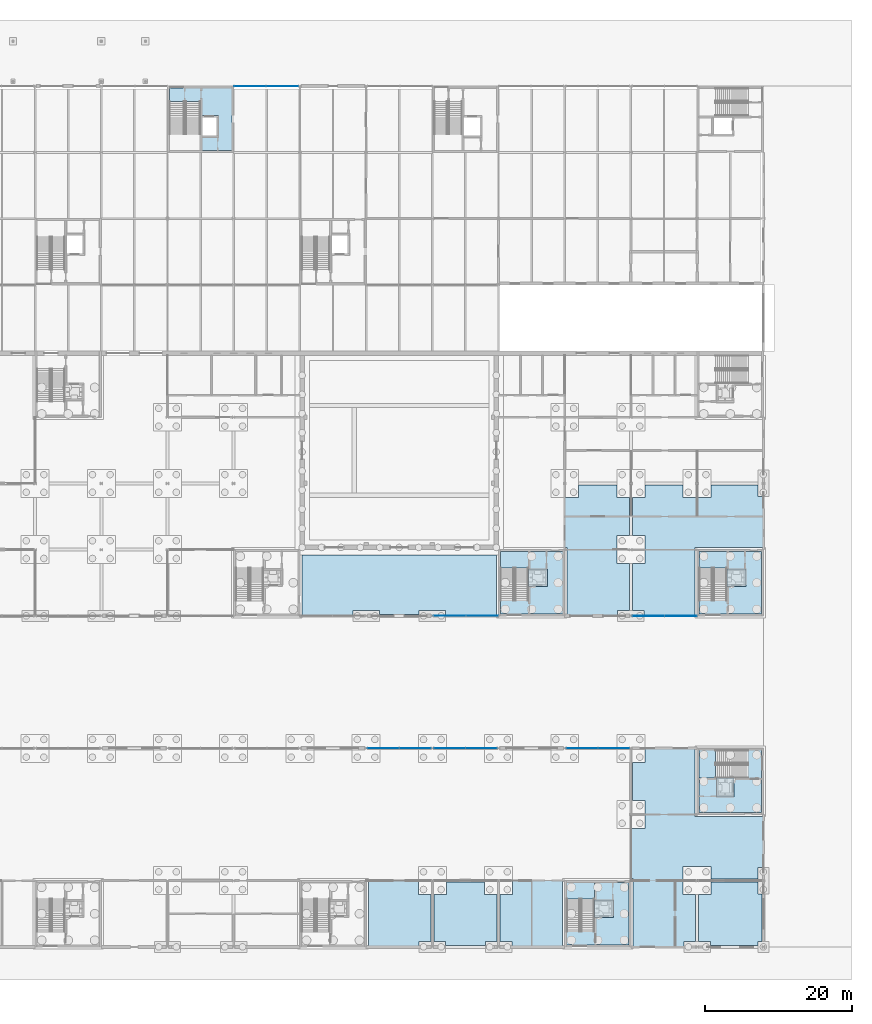
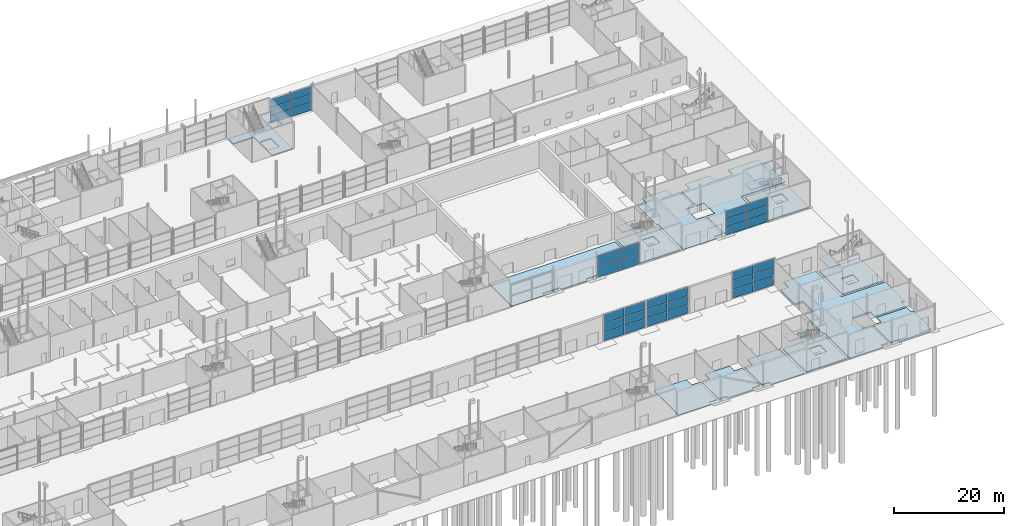
# One storey, part 58 of 97: 34 plates, 21 slabs, 10 elements without a shape of their own.
"""IFC4 building model written with IfcOpenShell, lengths in metres."""

from ifc_helpers import new_model, si_unit, direction, frame, origin, origin_2d, place, context, subcontext, project, spatial, polyline, rectangle, outline, extrude, material, layer, layer_set, type_object, element, aggregate, save


model = new_model("IFC4")

# Units and contexts
model_context = context("Model", 3, precision=1e-05, world=origin(), true_north=direction((0.0, 1.0)))
body_context = subcontext(model_context, "Body", "Model", "MODEL_VIEW")
ifc_project = project(units=[si_unit("LENGTHUNIT", "METRE"), si_unit("AREAUNIT", "SQUARE_METRE"), si_unit("VOLUMEUNIT", "CUBIC_METRE"), si_unit("PLANEANGLEUNIT", "RADIAN"), si_unit("MASSUNIT", "GRAM", prefix="KILO")], contexts=[model_context])

# Site, building, storey
site_placement = place(None, origin())
site = spatial("IfcSite", under=ifc_project, at=site_placement, CompositionType="ELEMENT")
building_placement = place(site_placement, origin())
building = spatial("IfcBuilding", under=site, at=building_placement, Name="Corbel Yard City Hall", CompositionType="ELEMENT")
storey_placement = place(building_placement, origin())
storey = spatial("IfcBuildingStorey", under=building, at=storey_placement, Name="L00", CompositionType="ELEMENT", Elevation=0.0)

# Slabs
ifc_material_1 = material(Name="Concrete N40 (40 MPa)", Category="concrete")
ifc_layer_1 = layer(ifc_material_1, 0.25)
ifc_layer_set_1 = layer_set([ifc_layer_1], Name="Concrete N40 (40 MPa)")
slab_type_1 = type_object("IfcSlabType", Name="CF1", PredefinedType="FLOOR", material=ifc_layer_set_1)
slab_1_placement = place(storey_placement, frame((0.0, 0.0, -0.25)))
element("IfcSlab", 1, at=slab_1_placement, inside=storey, type_object=slab_type_1, Name="Core floor slab", PredefinedType="FLOOR", context=body_context, shape_type="SweptSolid", body=[
    extrude(outline(polyline([(153.25, 0.25), (161.75, 0.25), (161.75, 8.75), (153.25, 8.75), (153.25, 0.25)]), holes=[polyline([(159.64990234375, 6.39990234375), (157.300048828125, 6.39990234375), (157.300048828125, 4.0), (159.64990234375, 4.0), (159.64990234375, 6.39990234375)])]), origin(), (0.0, 0.0, 1.0), 0.25),
])
slab_2_placement = place(storey_placement, frame((0.0, 0.0, -0.25)))
element("IfcSlab", 2, at=slab_2_placement, inside=storey, type_object=slab_type_1, Name="Core floor slab", PredefinedType="FLOOR", context=body_context, shape_type="SweptSolid", body=[
    extrude(outline(polyline([(171.25, 18.25), (179.75, 18.25), (179.75, 26.75), (171.25, 26.75), (171.25, 18.25)]), holes=[polyline([(176.0, 22.699951171875), (173.60009765625, 22.699951171875), (173.60009765625, 20.35009765625), (176.0, 20.35009765625), (176.0, 22.699951171875)])]), origin(), (0.0, 0.0, 1.0), 0.25),
])
slab_3_placement = place(storey_placement, frame((0.0, 0.0, -0.25)))
element("IfcSlab", 3, at=slab_3_placement, inside=storey, type_object=slab_type_1, Name="Core floor slab", PredefinedType="FLOOR", context=body_context, shape_type="SweptSolid", body=[
    extrude(outline(polyline([(144.25, 45.25), (152.75, 45.25), (152.75, 53.75), (144.25, 53.75), (144.25, 45.25)]), holes=[polyline([(150.64990234375, 51.39990234375), (148.300048828125, 51.39990234375), (148.300048828125, 49.0), (150.64990234375, 49.0), (150.64990234375, 51.39990234375)])]), origin(), (0.0, 0.0, 1.0), 0.25),
])
slab_4_placement = place(storey_placement, frame((0.0, 0.0, -0.25)))
element("IfcSlab", 4, at=slab_4_placement, inside=storey, type_object=slab_type_1, Name="Core floor slab", PredefinedType="FLOOR", context=body_context, shape_type="SweptSolid", body=[
    extrude(outline(polyline([(171.25, 45.25), (179.75, 45.25), (179.75, 53.75), (171.25, 53.75), (171.25, 45.25)]), holes=[polyline([(177.64990234375, 51.39990234375), (175.300048828125, 51.39990234375), (175.300048828125, 49.0), (177.64990234375, 49.0), (177.64990234375, 51.39990234375)])]), origin(), (0.0, 0.0, 1.0), 0.25),
])
slab_5_placement = place(storey_placement, frame((0.0, 0.0, -0.25)))
element("IfcSlab", 5, at=slab_5_placement, inside=storey, type_object=slab_type_1, Name="Core floor slab", PredefinedType="FLOOR", context=body_context, shape_type="SweptSolid", body=[
    extrude(outline(polyline([(99.25, 116.75), (99.25, 114.948974609375), (103.449951171875, 114.948974609375), (103.449951171875, 108.25), (107.75, 108.25), (107.75, 116.75), (99.25, 116.75)]), holes=[polyline([(105.949951171875, 110.0), (105.949951171875, 113.0), (103.699951171875, 113.0), (103.699951171875, 110.0), (105.949951171875, 110.0)])]), origin(), (0.0, 0.0, 1.0), 0.25),
])
ifc_layer_2 = layer(ifc_material_1, 0.300048828125)
ifc_layer_set_2 = layer_set([ifc_layer_2], Name="Concrete N40 (40 MPa)")
slab_type_2 = type_object("IfcSlabType", Name="CF2", PredefinedType="BASESLAB", material=ifc_layer_set_2)
slab_6_placement = place(storey_placement, frame((0.0, 0.0, -1.699951171875)))
element("IfcSlab", 6, at=slab_6_placement, inside=storey, type_object=slab_type_2, Name="Lift LP5 pit slab", PredefinedType="BASESLAB", context=body_context, shape_type="SweptSolid", body=[
    extrude(outline(polyline([(157.050048828125, 4.0), (159.64990234375, 4.0), (159.64990234375, 6.39990234375), (157.050048828125, 6.39990234375), (157.050048828125, 4.0)])), origin(), (0.0, 0.0, 1.0), 0.300048828125),
])
slab_7_placement = place(storey_placement, frame((0.0, 0.0, -1.699951171875)))
element("IfcSlab", 7, at=slab_7_placement, inside=storey, type_object=slab_type_2, Name="Lift LP7 pit slab", PredefinedType="BASESLAB", context=body_context, shape_type="SweptSolid", body=[
    extrude(outline(polyline([(173.60009765625, 20.35009765625), (176.0, 20.35009765625), (176.0, 22.949951171875), (173.60009765625, 22.949951171875), (173.60009765625, 20.35009765625)])), origin(), (0.0, 0.0, 1.0), 0.300048828125),
])
slab_8_placement = place(storey_placement, frame((0.0, 0.0, -1.699951171875)))
element("IfcSlab", 8, at=slab_8_placement, inside=storey, type_object=slab_type_2, Name="Lift LP11 pit slab", PredefinedType="BASESLAB", context=body_context, shape_type="SweptSolid", body=[
    extrude(outline(polyline([(148.050048828125, 49.0), (150.64990234375, 49.0), (150.64990234375, 51.39990234375), (148.050048828125, 51.39990234375), (148.050048828125, 49.0)])), origin(), (0.0, 0.0, 1.0), 0.300048828125),
])
slab_9_placement = place(storey_placement, frame((0.0, 0.0, -1.699951171875)))
element("IfcSlab", 9, at=slab_9_placement, inside=storey, type_object=slab_type_2, Name="Lift LP12 pit slab", PredefinedType="BASESLAB", context=body_context, shape_type="SweptSolid", body=[
    extrude(outline(polyline([(175.050048828125, 49.0), (177.64990234375, 49.0), (177.64990234375, 51.39990234375), (175.050048828125, 51.39990234375), (175.050048828125, 49.0)])), origin(), (0.0, 0.0, 1.0), 0.300048828125),
])
ifc_layer_3 = layer(ifc_material_1, 0.199951171875)
ifc_layer_set_3 = layer_set([ifc_layer_3], Name="Concrete N40 (40 MPa)")
slab_type_3 = type_object("IfcSlabType", Name="Ground slab 200", PredefinedType="BASESLAB", material=ifc_layer_set_3)
slab_10_placement = place(storey_placement, frame((0.0, 0.0, -0.199951171875)))
element("IfcSlab", 10, at=slab_10_placement, inside=storey, type_object=slab_type_3, Name="Ground slab on grade Hall ribbon", PredefinedType="BASESLAB", context=body_context, shape_type="SweptSolid", body=[
    extrude(outline(polyline([(133.10009765625, 7.10009765625), (133.10009765625, 9.0), (126.300048828125, 9.0), (126.300048828125, 0.0), (133.199951171875, 0.0), (133.199951171875, 0.75), (134.800048828125, 0.75), (134.800048828125, 7.10009765625), (133.10009765625, 7.10009765625)])), origin(), (0.0, 0.0, 1.0), 0.199951171875),
])
slab_11_placement = place(storey_placement, frame((0.0, 0.0, -0.199951171875)))
element("IfcSlab", 11, at=slab_11_placement, inside=storey, type_object=slab_type_3, Name="Ground slab on grade Hall ribbon", PredefinedType="BASESLAB", context=body_context, shape_type="SweptSolid", body=[
    extrude(outline(polyline([(152.699951171875, 9.0), (145.89990234375, 9.0), (145.89990234375, 7.10009765625), (144.199951171875, 7.10009765625), (144.199951171875, 0.75), (145.800048828125, 0.75), (145.800048828125, 0.0), (152.699951171875, 0.0), (152.699951171875, 9.0)])), origin(), (0.0, 0.0, 1.0), 0.199951171875),
])
slab_12_placement = place(storey_placement, frame((0.0, 0.0, -0.199951171875)))
element("IfcSlab", 12, at=slab_12_placement, inside=storey, type_object=slab_type_3, Name="Ground slab on grade Hall ribbon", PredefinedType="BASESLAB", context=body_context, shape_type="SweptSolid", body=[
    extrude(outline(polyline([(142.199951171875, 0.199951171875), (142.199951171875, 0.75), (143.800048828125, 0.75), (143.800048828125, 7.10009765625), (142.10009765625, 7.10009765625), (142.10009765625, 8.800048828125), (136.89990234375, 8.800048828125), (136.89990234375, 7.10009765625), (135.199951171875, 7.10009765625), (135.199951171875, 0.75), (136.800048828125, 0.75), (136.800048828125, 0.199951171875), (142.199951171875, 0.199951171875)])), origin(), (0.0, 0.0, 1.0), 0.199951171875),
])
slab_13_placement = place(storey_placement, frame((0.0, 0.0, -0.199951171875)))
element("IfcSlab", 13, at=slab_13_placement, inside=storey, type_object=slab_type_3, Name="Ground slab on grade Council Chamber block", PredefinedType="BASESLAB", context=body_context, shape_type="SweptSolid", body=[
    extrude(outline(polyline([(133.199951171875, 45.75), (136.800048828125, 45.75), (136.800048828125, 45.0), (143.699951171875, 45.0), (143.699951171875, 53.300048828125), (117.300048828125, 53.300048828125), (117.300048828125, 45.0), (124.199951171875, 45.0), (124.199951171875, 45.75), (127.800048828125, 45.75), (127.800048828125, 45.199951171875), (133.199951171875, 45.199951171875), (133.199951171875, 45.75)])), origin(), (0.0, 0.0, 1.0), 0.199951171875),
])
slab_14_placement = place(storey_placement, frame((0.0, 0.0, -0.199951171875)))
element("IfcSlab", 14, at=slab_14_placement, inside=storey, type_object=slab_type_3, Name="Ground slab on grade Members' wing", PredefinedType="BASESLAB", context=body_context, shape_type="SweptSolid", body=[
    extrude(outline(polyline([(161.800048828125, 52.10009765625), (160.10009765625, 52.10009765625), (160.10009765625, 55.89990234375), (161.800048828125, 55.89990234375), (161.800048828125, 61.10009765625), (160.10009765625, 61.10009765625), (160.10009765625, 62.800048828125), (154.89990234375, 62.800048828125), (154.89990234375, 61.10009765625), (153.0, 61.10009765625), (153.0, 54.300048828125), (153.300048828125, 54.300048828125), (153.300048828125, 45.0), (160.199951171875, 45.0), (160.199951171875, 45.75), (161.800048828125, 45.75), (161.800048828125, 52.10009765625)])), origin(), (0.0, 0.0, 1.0), 0.199951171875),
])
slab_15_placement = place(storey_placement, frame((0.0, 0.0, -0.199951171875)))
element("IfcSlab", 15, at=slab_15_placement, inside=storey, type_object=slab_type_3, Name="Ground slab on grade Members' wing", PredefinedType="BASESLAB", context=body_context, shape_type="SweptSolid", body=[
    extrude(outline(polyline([(170.699951171875, 45.0), (170.699951171875, 54.300048828125), (180.0, 54.300048828125), (180.0, 61.199951171875), (179.25, 61.199951171875), (179.25, 62.800048828125), (172.89990234375, 62.800048828125), (172.89990234375, 61.10009765625), (169.10009765625, 61.10009765625), (169.10009765625, 62.800048828125), (163.89990234375, 62.800048828125), (163.89990234375, 61.10009765625), (162.199951171875, 61.10009765625), (162.199951171875, 55.89990234375), (163.89990234375, 55.89990234375), (163.89990234375, 52.10009765625), (162.199951171875, 52.10009765625), (162.199951171875, 45.75), (163.800048828125, 45.75), (163.800048828125, 45.0), (170.699951171875, 45.0)])), origin(), (0.0, 0.0, 1.0), 0.199951171875),
])
ifc_layer_4 = layer(ifc_material_1, 0.35009765625)
ifc_layer_set_4 = layer_set([ifc_layer_4], Name="Concrete N40 (40 MPa)")
slab_type_4 = type_object("IfcSlabType", Name="Ground slab 350", PredefinedType="BASESLAB", material=ifc_layer_set_4)
slab_16_placement = place(storey_placement, frame((0.0, 0.0, -0.35009765625)))
element("IfcSlab", 16, at=slab_16_placement, inside=storey, type_object=slab_type_4, Name="Ground slab on grade East Entrance and Service", PredefinedType="BASESLAB", context=body_context, shape_type="SweptSolid", body=[
    extrude(outline(polyline([(169.199951171875, 0.75), (170.800048828125, 0.75), (170.800048828125, 7.10009765625), (169.10009765625, 7.10009765625), (169.10009765625, 10.89990234375), (172.89990234375, 10.89990234375), (172.89990234375, 9.199951171875), (179.25, 9.199951171875), (179.25, 10.800048828125), (180.0, 10.800048828125), (180.0, 17.699951171875), (170.699951171875, 17.699951171875), (170.699951171875, 27.0), (163.89990234375, 27.0), (163.89990234375, 25.10009765625), (162.199951171875, 25.10009765625), (162.199951171875, 19.89990234375), (163.89990234375, 19.89990234375), (163.89990234375, 16.10009765625), (162.0, 16.10009765625), (162.0, 9.300048828125), (162.300048828125, 9.300048828125), (162.300048828125, 0.0), (169.199951171875, 0.0), (169.199951171875, 0.75)])), origin(), (0.0, 0.0, 1.0), 0.35009765625),
])
slab_17_placement = place(storey_placement, frame((0.0, 0.0, -0.35009765625)))
element("IfcSlab", 17, at=slab_17_placement, inside=storey, type_object=slab_type_4, Name="Ground slab on grade East Entrance and Service", PredefinedType="BASESLAB", context=body_context, shape_type="SweptSolid", body=[
    extrude(outline(polyline([(179.25, 8.800048828125), (172.89990234375, 8.800048828125), (172.89990234375, 7.10009765625), (171.199951171875, 7.10009765625), (171.199951171875, 0.75), (172.800048828125, 0.75), (172.800048828125, 0.199951171875), (179.25, 0.199951171875), (179.25, 0.75), (179.800048828125, 0.75), (179.800048828125, 7.199951171875), (179.25, 7.199951171875), (179.25, 8.800048828125)])), origin(), (0.0, 0.0, 1.0), 0.35009765625),
])

# Stair, slab
stair_type = type_object("IfcStairType", Name="ST2", PredefinedType="HALF_TURN_STAIR", material=ifc_material_1)
stair_1_placement = place(storey_placement, origin())
stair_1 = element("IfcStair", 18, at=stair_1_placement, inside=storey, type_object=stair_type, Name="Exit stair L00", PredefinedType="HALF_TURN_STAIR")
ifc_layer_5 = layer(ifc_material_1, 0.199951171875)
ifc_layer_set_5 = layer_set([ifc_layer_5], Name="Concrete N40 (40 MPa)")
slab_type_5 = type_object("IfcSlabType", Name="LN1", PredefinedType="LANDING", material=ifc_layer_set_5)
slab_18_placement = place(storey_placement, frame((0.0, 0.0, 2.800048828125)))
slab_18 = element("IfcSlab", 19, at=slab_18_placement, type_object=slab_type_5, Name="PS5 landing 1", PredefinedType="LANDING", context=body_context, shape_type="SweptSolid", body=[
    extrude(outline(polyline([(153.25, 6.530029296875), (157.050048828125, 6.530029296875), (157.050048828125, 8.75), (153.25, 8.75), (153.25, 6.530029296875)])), origin(), (0.0, 0.0, 1.0), 0.199951171875),
])
aggregate(stair_1, [slab_18])

stair_2_placement = place(storey_placement, origin())
stair_2 = element("IfcStair", 20, at=stair_2_placement, inside=storey, type_object=stair_type, Name="Exit stair L00", PredefinedType="HALF_TURN_STAIR")
slab_19_placement = place(storey_placement, frame((0.0, 0.0, 2.800048828125)))
slab_19 = element("IfcSlab", 21, at=slab_19_placement, type_object=slab_type_5, Name="PS7 landing 1", PredefinedType="LANDING", context=body_context, shape_type="SweptSolid", body=[
    extrude(outline(polyline([(171.25, 22.949951171875), (173.469970703125, 22.949951171875), (173.469970703125, 26.75), (171.25, 26.75), (171.25, 22.949951171875)])), origin(), (0.0, 0.0, 1.0), 0.199951171875),
])
aggregate(stair_2, [slab_19])

stair_3_placement = place(storey_placement, origin())
stair_3 = element("IfcStair", 22, at=stair_3_placement, inside=storey, type_object=stair_type, Name="Exit stair L00", PredefinedType="HALF_TURN_STAIR")
slab_20_placement = place(storey_placement, frame((0.0, 0.0, 2.800048828125)))
slab_20 = element("IfcSlab", 23, at=slab_20_placement, type_object=slab_type_5, Name="PS11 landing 1", PredefinedType="LANDING", context=body_context, shape_type="SweptSolid", body=[
    extrude(outline(polyline([(144.25, 51.530029296875), (148.050048828125, 51.530029296875), (148.050048828125, 53.75), (144.25, 53.75), (144.25, 51.530029296875)])), origin(), (0.0, 0.0, 1.0), 0.199951171875),
])
aggregate(stair_3, [slab_20])

stair_4_placement = place(storey_placement, origin())
stair_4 = element("IfcStair", 24, at=stair_4_placement, inside=storey, type_object=stair_type, Name="Exit stair L00", PredefinedType="HALF_TURN_STAIR")
slab_21_placement = place(storey_placement, frame((0.0, 0.0, 2.800048828125)))
slab_21 = element("IfcSlab", 25, at=slab_21_placement, type_object=slab_type_5, Name="PS12 landing 1", PredefinedType="LANDING", context=body_context, shape_type="SweptSolid", body=[
    extrude(outline(polyline([(171.25, 51.530029296875), (175.050048828125, 51.530029296875), (175.050048828125, 53.75), (171.25, 53.75), (171.25, 51.530029296875)])), origin(), (0.0, 0.0, 1.0), 0.199951171875),
])
aggregate(stair_4, [slab_21])

# Curtain wall, plates
ifc_material_2 = material(Name="Aluminium extrusion", Category="aluminium")
ifc_layer_6 = layer(ifc_material_2, 0.25)
ifc_layer_set_6 = layer_set([ifc_layer_6], Name="Aluminium extrusion")
curtain_wall_type_1 = type_object("IfcCurtainWallType", Name="CW4", PredefinedType="USERDEFINED", material=ifc_layer_set_6)
curtain_wall_1_placement = place(storey_placement, origin())
curtain_wall_1 = element("IfcCurtainWall", 26, at=curtain_wall_1_placement, inside=storey, type_object=curtain_wall_type_1, Name="Curtain wall CW4 L00", ObjectType="CURTAIN WALL", PredefinedType="USERDEFINED")
ifc_material_3 = material(Name="Laminated toughened storefront glass", Category="glass")
ifc_layer_7 = layer(ifc_material_3, 0.0400390625)
ifc_layer_set_7 = layer_set([ifc_layer_7], Name="Laminated toughened storefront glass")
plate_type_1 = type_object("IfcPlateType", Name="PN5", PredefinedType="CURTAIN_PANEL", material=ifc_layer_set_7)
plate_1_placement = place(storey_placement, frame((164.38427734375, 45.0, 0.06494140625), z_axis=(0.0, 0.0, 1.0), x_axis=(1.0, 0.0, 0.0)))
plate_1 = element("IfcPlate", 27, at=plate_1_placement, type_object=plate_type_1, Name="CW4 panel 1.1", PredefinedType="CURTAIN_PANEL", context=body_context, shape_type="SweptSolid", body=[
    extrude(rectangle(XDim=4.32373046875, YDim=0.0400390625, at=origin_2d()), origin(), (0.0, 0.0, 1.0), 1.71728515625),
])
plate_2_placement = place(storey_placement, frame((164.38427734375, 45.0, 1.84716796875), z_axis=(0.0, 0.0, 1.0), x_axis=(1.0, 0.0, 0.0)))
plate_2 = element("IfcPlate", 28, at=plate_2_placement, type_object=plate_type_1, Name="CW4 panel 1.2", PredefinedType="CURTAIN_PANEL", context=body_context, shape_type="SweptSolid", body=[
    extrude(rectangle(XDim=4.32373046875, YDim=0.0400390625, at=origin_2d()), origin(), (0.0, 0.0, 1.0), 1.749755859375),
])
plate_3_placement = place(storey_placement, frame((164.38427734375, 45.0, 3.661865234375), z_axis=(0.0, 0.0, 1.0), x_axis=(1.0, 0.0, 0.0)))
plate_3 = element("IfcPlate", 29, at=plate_3_placement, type_object=plate_type_1, Name="CW4 panel 1.3", PredefinedType="CURTAIN_PANEL", context=body_context, shape_type="SweptSolid", body=[
    extrude(rectangle(XDim=4.32373046875, YDim=0.0400390625, at=origin_2d()), origin(), (0.0, 0.0, 1.0), 1.71728515625),
])
plate_4_placement = place(storey_placement, frame((168.773193359375, 45.0, 0.06494140625), z_axis=(0.0, 0.0, 1.0), x_axis=(1.0, 0.0, 0.0)))
plate_4 = element("IfcPlate", 30, at=plate_4_placement, type_object=plate_type_1, Name="CW4 panel 2.1", PredefinedType="CURTAIN_PANEL", context=body_context, shape_type="SweptSolid", body=[
    extrude(rectangle(XDim=4.32373046875, YDim=0.0400390625, at=origin_2d()), origin(), (0.0, 0.0, 1.0), 1.71728515625),
])
plate_5_placement = place(storey_placement, frame((168.773193359375, 45.0, 1.84716796875), z_axis=(0.0, 0.0, 1.0), x_axis=(1.0, 0.0, 0.0)))
plate_5 = element("IfcPlate", 31, at=plate_5_placement, type_object=plate_type_1, Name="CW4 panel 2.2", PredefinedType="CURTAIN_PANEL", context=body_context, shape_type="SweptSolid", body=[
    extrude(rectangle(XDim=4.32373046875, YDim=0.0400390625, at=origin_2d()), origin(), (0.0, 0.0, 1.0), 1.749755859375),
])
plate_6_placement = place(storey_placement, frame((168.773193359375, 45.0, 3.661865234375), z_axis=(0.0, 0.0, 1.0), x_axis=(1.0, 0.0, 0.0)))
plate_6 = element("IfcPlate", 32, at=plate_6_placement, type_object=plate_type_1, Name="CW4 panel 2.3", PredefinedType="CURTAIN_PANEL", context=body_context, shape_type="SweptSolid", body=[
    extrude(rectangle(XDim=4.32373046875, YDim=0.0400390625, at=origin_2d()), origin(), (0.0, 0.0, 1.0), 1.71728515625),
])
aggregate(curtain_wall_1, [plate_1, plate_2, plate_3, plate_4, plate_5, plate_6])

curtain_wall_2_placement = place(storey_placement, origin())
curtain_wall_2 = element("IfcCurtainWall", 33, at=curtain_wall_2_placement, inside=storey, type_object=curtain_wall_type_1, Name="Curtain wall CW4 L00", ObjectType="CURTAIN WALL", PredefinedType="USERDEFINED")
plate_7_placement = place(storey_placement, frame((110.226806640625, 117.0, 0.06494140625), z_axis=(0.0, 0.0, 1.0), x_axis=(1.0, 0.0, 0.0)))
plate_7 = element("IfcPlate", 34, at=plate_7_placement, type_object=plate_type_1, Name="CW4 panel 1.1", PredefinedType="CURTAIN_PANEL", context=body_context, shape_type="SweptSolid", body=[
    extrude(rectangle(XDim=4.32373046875, YDim=0.0400390625, at=origin_2d()), origin(), (0.0, 0.0, 1.0), 1.71728515625),
])
plate_8_placement = place(storey_placement, frame((110.226806640625, 117.0, 1.84716796875), z_axis=(0.0, 0.0, 1.0), x_axis=(1.0, 0.0, 0.0)))
plate_8 = element("IfcPlate", 35, at=plate_8_placement, type_object=plate_type_1, Name="CW4 panel 1.2", PredefinedType="CURTAIN_PANEL", context=body_context, shape_type="SweptSolid", body=[
    extrude(rectangle(XDim=4.32373046875, YDim=0.0400390625, at=origin_2d()), origin(), (0.0, 0.0, 1.0), 1.749755859375),
])
plate_9_placement = place(storey_placement, frame((110.226806640625, 117.0, 3.661865234375), z_axis=(0.0, 0.0, 1.0), x_axis=(1.0, 0.0, 0.0)))
plate_9 = element("IfcPlate", 36, at=plate_9_placement, type_object=plate_type_1, Name="CW4 panel 1.3", PredefinedType="CURTAIN_PANEL", context=body_context, shape_type="SweptSolid", body=[
    extrude(rectangle(XDim=4.32373046875, YDim=0.0400390625, at=origin_2d()), origin(), (0.0, 0.0, 1.0), 1.71728515625),
])
plate_10_placement = place(storey_placement, frame((114.61572265625, 117.0, 0.06494140625), z_axis=(0.0, 0.0, 1.0), x_axis=(1.0, 0.0, 0.0)))
plate_10 = element("IfcPlate", 37, at=plate_10_placement, type_object=plate_type_1, Name="CW4 panel 2.1", PredefinedType="CURTAIN_PANEL", context=body_context, shape_type="SweptSolid", body=[
    extrude(rectangle(XDim=4.32373046875, YDim=0.0400390625, at=origin_2d()), origin(), (0.0, 0.0, 1.0), 1.71728515625),
])
plate_11_placement = place(storey_placement, frame((114.61572265625, 117.0, 1.84716796875), z_axis=(0.0, 0.0, 1.0), x_axis=(1.0, 0.0, 0.0)))
plate_11 = element("IfcPlate", 38, at=plate_11_placement, type_object=plate_type_1, Name="CW4 panel 2.2", PredefinedType="CURTAIN_PANEL", context=body_context, shape_type="SweptSolid", body=[
    extrude(rectangle(XDim=4.32373046875, YDim=0.0400390625, at=origin_2d()), origin(), (0.0, 0.0, 1.0), 1.749755859375),
])
plate_12_placement = place(storey_placement, frame((114.61572265625, 117.0, 3.661865234375), z_axis=(0.0, 0.0, 1.0), x_axis=(1.0, 0.0, 0.0)))
plate_12 = element("IfcPlate", 39, at=plate_12_placement, type_object=plate_type_1, Name="CW4 panel 2.3", PredefinedType="CURTAIN_PANEL", context=body_context, shape_type="SweptSolid", body=[
    extrude(rectangle(XDim=4.32373046875, YDim=0.0400390625, at=origin_2d()), origin(), (0.0, 0.0, 1.0), 1.71728515625),
])
aggregate(curtain_wall_2, [plate_7, plate_8, plate_9, plate_10, plate_11, plate_12])

ifc_layer_8 = layer(ifc_material_2, 0.219970703125)
ifc_layer_set_8 = layer_set([ifc_layer_8], Name="Aluminium extrusion")
curtain_wall_type_2 = type_object("IfcCurtainWallType", Name="CW5", PredefinedType="USERDEFINED", material=ifc_layer_set_8)
curtain_wall_3_placement = place(storey_placement, origin())
curtain_wall_3 = element("IfcCurtainWall", 40, at=curtain_wall_3_placement, inside=storey, type_object=curtain_wall_type_2, Name="Curtain wall CW5 L00", ObjectType="CURTAIN WALL", PredefinedType="USERDEFINED")
ifc_material_4 = material(Name="Acoustic laminated glass", Category="glass")
ifc_layer_9 = layer(ifc_material_4, 0.031982421875)
ifc_layer_set_9 = layer_set([ifc_layer_9], Name="Acoustic laminated glass")
plate_type_2 = type_object("IfcPlateType", Name="PN6", PredefinedType="CURTAIN_PANEL", material=ifc_layer_set_9)
plate_13_placement = place(storey_placement, frame((137.38427734375, 45.0, 0.06494140625), z_axis=(0.0, 0.0, 1.0), x_axis=(1.0, 0.0, 0.0)))
plate_13 = element("IfcPlate", 41, at=plate_13_placement, type_object=plate_type_2, Name="CW5 panel 1.1", PredefinedType="CURTAIN_PANEL", context=body_context, shape_type="SweptSolid", body=[
    extrude(rectangle(XDim=4.32373046875, YDim=0.031982421875, at=origin_2d()), origin(), (0.0, 0.0, 1.0), 2.327392578125),
])
plate_14_placement = place(storey_placement, frame((137.38427734375, 45.0, 2.45751953125), z_axis=(0.0, 0.0, 1.0), x_axis=(1.0, 0.0, 0.0)))
plate_14 = element("IfcPlate", 42, at=plate_14_placement, type_object=plate_type_2, Name="CW5 panel 1.2", PredefinedType="CURTAIN_PANEL", context=body_context, shape_type="SweptSolid", body=[
    extrude(rectangle(XDim=4.32373046875, YDim=0.031982421875, at=origin_2d()), origin(), (0.0, 0.0, 1.0), 2.327392578125),
])
plate_15_placement = place(storey_placement, frame((141.773193359375, 45.0, 0.06494140625), z_axis=(0.0, 0.0, 1.0), x_axis=(1.0, 0.0, 0.0)))
plate_15 = element("IfcPlate", 43, at=plate_15_placement, type_object=plate_type_2, Name="CW5 panel 2.1", PredefinedType="CURTAIN_PANEL", context=body_context, shape_type="SweptSolid", body=[
    extrude(rectangle(XDim=4.32373046875, YDim=0.031982421875, at=origin_2d()), origin(), (0.0, 0.0, 1.0), 2.327392578125),
])
plate_16_placement = place(storey_placement, frame((141.773193359375, 45.0, 2.45751953125), z_axis=(0.0, 0.0, 1.0), x_axis=(1.0, 0.0, 0.0)))
plate_16 = element("IfcPlate", 44, at=plate_16_placement, type_object=plate_type_2, Name="CW5 panel 2.2", PredefinedType="CURTAIN_PANEL", context=body_context, shape_type="SweptSolid", body=[
    extrude(rectangle(XDim=4.32373046875, YDim=0.031982421875, at=origin_2d()), origin(), (0.0, 0.0, 1.0), 2.327392578125),
])
aggregate(curtain_wall_3, [plate_13, plate_14, plate_15, plate_16])

ifc_layer_10 = layer(ifc_material_2, 0.300048828125)
ifc_layer_set_10 = layer_set([ifc_layer_10], Name="Aluminium extrusion")
curtain_wall_type_3 = type_object("IfcCurtainWallType", Name="CW7", PredefinedType="USERDEFINED", material=ifc_layer_set_10)
curtain_wall_4_placement = place(storey_placement, origin())
curtain_wall_4 = element("IfcCurtainWall", 45, at=curtain_wall_4_placement, inside=storey, type_object=curtain_wall_type_3, Name="Curtain wall CW7 L00", ObjectType="CURTAIN WALL", PredefinedType="USERDEFINED")
ifc_material_5 = material(Name="Laminated toughened glass, large format", Category="glass")
ifc_layer_11 = layer(ifc_material_5, 0.048095703125)
ifc_layer_set_11 = layer_set([ifc_layer_11], Name="Laminated toughened glass, large format")
plate_type_3 = type_object("IfcPlateType", Name="PN8", PredefinedType="CURTAIN_PANEL", material=ifc_layer_set_11)
plate_17_placement = place(storey_placement, frame((128.351806640625, 27.0, 0.080078125), z_axis=(0.0, 0.0, 1.0), x_axis=(1.0, 0.0, 0.0)))
plate_17 = element("IfcPlate", 46, at=plate_17_placement, type_object=plate_type_3, Name="CW7 panel 1.1", PredefinedType="CURTAIN_PANEL", context=body_context, shape_type="SweptSolid", body=[
    extrude(rectangle(XDim=4.216552734375, YDim=0.048095703125, at=origin_2d()), origin(), (0.0, 0.0, 1.0), 1.8798828125),
])
plate_18_placement = place(storey_placement, frame((128.351806640625, 27.0, 2.0400390625), z_axis=(0.0, 0.0, 1.0), x_axis=(1.0, 0.0, 0.0)))
plate_18 = element("IfcPlate", 47, at=plate_18_placement, type_object=plate_type_3, Name="CW7 panel 1.2", PredefinedType="CURTAIN_PANEL", context=body_context, shape_type="SweptSolid", body=[
    extrude(rectangle(XDim=4.216552734375, YDim=0.048095703125, at=origin_2d()), origin(), (0.0, 0.0, 1.0), 1.919921875),
])
plate_19_placement = place(storey_placement, frame((128.351806640625, 27.0, 4.0400390625), z_axis=(0.0, 0.0, 1.0), x_axis=(1.0, 0.0, 0.0)))
plate_19 = element("IfcPlate", 48, at=plate_19_placement, type_object=plate_type_3, Name="CW7 panel 1.3", PredefinedType="CURTAIN_PANEL", context=body_context, shape_type="SweptSolid", body=[
    extrude(rectangle(XDim=4.216552734375, YDim=0.048095703125, at=origin_2d()), origin(), (0.0, 0.0, 1.0), 1.8798828125),
])
plate_20_placement = place(storey_placement, frame((132.648193359375, 27.0, 0.080078125), z_axis=(0.0, 0.0, 1.0), x_axis=(1.0, 0.0, 0.0)))
plate_20 = element("IfcPlate", 49, at=plate_20_placement, type_object=plate_type_3, Name="CW7 panel 2.1", PredefinedType="CURTAIN_PANEL", context=body_context, shape_type="SweptSolid", body=[
    extrude(rectangle(XDim=4.216552734375, YDim=0.048095703125, at=origin_2d()), origin(), (0.0, 0.0, 1.0), 1.8798828125),
])
plate_21_placement = place(storey_placement, frame((132.648193359375, 27.0, 2.0400390625), z_axis=(0.0, 0.0, 1.0), x_axis=(1.0, 0.0, 0.0)))
plate_21 = element("IfcPlate", 50, at=plate_21_placement, type_object=plate_type_3, Name="CW7 panel 2.2", PredefinedType="CURTAIN_PANEL", context=body_context, shape_type="SweptSolid", body=[
    extrude(rectangle(XDim=4.216552734375, YDim=0.048095703125, at=origin_2d()), origin(), (0.0, 0.0, 1.0), 1.919921875),
])
plate_22_placement = place(storey_placement, frame((132.648193359375, 27.0, 4.0400390625), z_axis=(0.0, 0.0, 1.0), x_axis=(1.0, 0.0, 0.0)))
plate_22 = element("IfcPlate", 51, at=plate_22_placement, type_object=plate_type_3, Name="CW7 panel 2.3", PredefinedType="CURTAIN_PANEL", context=body_context, shape_type="SweptSolid", body=[
    extrude(rectangle(XDim=4.216552734375, YDim=0.048095703125, at=origin_2d()), origin(), (0.0, 0.0, 1.0), 1.8798828125),
])
aggregate(curtain_wall_4, [plate_17, plate_18, plate_19, plate_20, plate_21, plate_22])

curtain_wall_5_placement = place(storey_placement, origin())
curtain_wall_5 = element("IfcCurtainWall", 52, at=curtain_wall_5_placement, inside=storey, type_object=curtain_wall_type_3, Name="Curtain wall CW7 L00", ObjectType="CURTAIN WALL", PredefinedType="USERDEFINED")
plate_23_placement = place(storey_placement, frame((137.351806640625, 27.0, 0.080078125), z_axis=(0.0, 0.0, 1.0), x_axis=(1.0, 0.0, 0.0)))
plate_23 = element("IfcPlate", 53, at=plate_23_placement, type_object=plate_type_3, Name="CW7 panel 1.1", PredefinedType="CURTAIN_PANEL", context=body_context, shape_type="SweptSolid", body=[
    extrude(rectangle(XDim=4.216552734375, YDim=0.048095703125, at=origin_2d()), origin(), (0.0, 0.0, 1.0), 1.8798828125),
])
plate_24_placement = place(storey_placement, frame((137.351806640625, 27.0, 2.0400390625), z_axis=(0.0, 0.0, 1.0), x_axis=(1.0, 0.0, 0.0)))
plate_24 = element("IfcPlate", 54, at=plate_24_placement, type_object=plate_type_3, Name="CW7 panel 1.2", PredefinedType="CURTAIN_PANEL", context=body_context, shape_type="SweptSolid", body=[
    extrude(rectangle(XDim=4.216552734375, YDim=0.048095703125, at=origin_2d()), origin(), (0.0, 0.0, 1.0), 1.919921875),
])
plate_25_placement = place(storey_placement, frame((137.351806640625, 27.0, 4.0400390625), z_axis=(0.0, 0.0, 1.0), x_axis=(1.0, 0.0, 0.0)))
plate_25 = element("IfcPlate", 55, at=plate_25_placement, type_object=plate_type_3, Name="CW7 panel 1.3", PredefinedType="CURTAIN_PANEL", context=body_context, shape_type="SweptSolid", body=[
    extrude(rectangle(XDim=4.216552734375, YDim=0.048095703125, at=origin_2d()), origin(), (0.0, 0.0, 1.0), 1.8798828125),
])
plate_26_placement = place(storey_placement, frame((141.648193359375, 27.0, 0.080078125), z_axis=(0.0, 0.0, 1.0), x_axis=(1.0, 0.0, 0.0)))
plate_26 = element("IfcPlate", 56, at=plate_26_placement, type_object=plate_type_3, Name="CW7 panel 2.1", PredefinedType="CURTAIN_PANEL", context=body_context, shape_type="SweptSolid", body=[
    extrude(rectangle(XDim=4.216552734375, YDim=0.048095703125, at=origin_2d()), origin(), (0.0, 0.0, 1.0), 1.8798828125),
])
plate_27_placement = place(storey_placement, frame((141.648193359375, 27.0, 2.0400390625), z_axis=(0.0, 0.0, 1.0), x_axis=(1.0, 0.0, 0.0)))
plate_27 = element("IfcPlate", 57, at=plate_27_placement, type_object=plate_type_3, Name="CW7 panel 2.2", PredefinedType="CURTAIN_PANEL", context=body_context, shape_type="SweptSolid", body=[
    extrude(rectangle(XDim=4.216552734375, YDim=0.048095703125, at=origin_2d()), origin(), (0.0, 0.0, 1.0), 1.919921875),
])
plate_28_placement = place(storey_placement, frame((141.648193359375, 27.0, 4.0400390625), z_axis=(0.0, 0.0, 1.0), x_axis=(1.0, 0.0, 0.0)))
plate_28 = element("IfcPlate", 58, at=plate_28_placement, type_object=plate_type_3, Name="CW7 panel 2.3", PredefinedType="CURTAIN_PANEL", context=body_context, shape_type="SweptSolid", body=[
    extrude(rectangle(XDim=4.216552734375, YDim=0.048095703125, at=origin_2d()), origin(), (0.0, 0.0, 1.0), 1.8798828125),
])
aggregate(curtain_wall_5, [plate_23, plate_24, plate_25, plate_26, plate_27, plate_28])

curtain_wall_6_placement = place(storey_placement, origin())
curtain_wall_6 = element("IfcCurtainWall", 59, at=curtain_wall_6_placement, inside=storey, type_object=curtain_wall_type_3, Name="Curtain wall CW7 L00", ObjectType="CURTAIN WALL", PredefinedType="USERDEFINED")
plate_29_placement = place(storey_placement, frame((155.351806640625, 27.0, 0.080078125), z_axis=(0.0, 0.0, 1.0), x_axis=(1.0, 0.0, 0.0)))
plate_29 = element("IfcPlate", 60, at=plate_29_placement, type_object=plate_type_3, Name="CW7 panel 1.1", PredefinedType="CURTAIN_PANEL", context=body_context, shape_type="SweptSolid", body=[
    extrude(rectangle(XDim=4.216552734375, YDim=0.048095703125, at=origin_2d()), origin(), (0.0, 0.0, 1.0), 1.8798828125),
])
plate_30_placement = place(storey_placement, frame((155.351806640625, 27.0, 2.0400390625), z_axis=(0.0, 0.0, 1.0), x_axis=(1.0, 0.0, 0.0)))
plate_30 = element("IfcPlate", 61, at=plate_30_placement, type_object=plate_type_3, Name="CW7 panel 1.2", PredefinedType="CURTAIN_PANEL", context=body_context, shape_type="SweptSolid", body=[
    extrude(rectangle(XDim=4.216552734375, YDim=0.048095703125, at=origin_2d()), origin(), (0.0, 0.0, 1.0), 1.919921875),
])
plate_31_placement = place(storey_placement, frame((155.351806640625, 27.0, 4.0400390625), z_axis=(0.0, 0.0, 1.0), x_axis=(1.0, 0.0, 0.0)))
plate_31 = element("IfcPlate", 62, at=plate_31_placement, type_object=plate_type_3, Name="CW7 panel 1.3", PredefinedType="CURTAIN_PANEL", context=body_context, shape_type="SweptSolid", body=[
    extrude(rectangle(XDim=4.216552734375, YDim=0.048095703125, at=origin_2d()), origin(), (0.0, 0.0, 1.0), 1.8798828125),
])
plate_32_placement = place(storey_placement, frame((159.648193359375, 27.0, 0.080078125), z_axis=(0.0, 0.0, 1.0), x_axis=(1.0, 0.0, 0.0)))
plate_32 = element("IfcPlate", 63, at=plate_32_placement, type_object=plate_type_3, Name="CW7 panel 2.1", PredefinedType="CURTAIN_PANEL", context=body_context, shape_type="SweptSolid", body=[
    extrude(rectangle(XDim=4.216552734375, YDim=0.048095703125, at=origin_2d()), origin(), (0.0, 0.0, 1.0), 1.8798828125),
])
plate_33_placement = place(storey_placement, frame((159.648193359375, 27.0, 2.0400390625), z_axis=(0.0, 0.0, 1.0), x_axis=(1.0, 0.0, 0.0)))
plate_33 = element("IfcPlate", 64, at=plate_33_placement, type_object=plate_type_3, Name="CW7 panel 2.2", PredefinedType="CURTAIN_PANEL", context=body_context, shape_type="SweptSolid", body=[
    extrude(rectangle(XDim=4.216552734375, YDim=0.048095703125, at=origin_2d()), origin(), (0.0, 0.0, 1.0), 1.919921875),
])
plate_34_placement = place(storey_placement, frame((159.648193359375, 27.0, 4.0400390625), z_axis=(0.0, 0.0, 1.0), x_axis=(1.0, 0.0, 0.0)))
plate_34 = element("IfcPlate", 65, at=plate_34_placement, type_object=plate_type_3, Name="CW7 panel 2.3", PredefinedType="CURTAIN_PANEL", context=body_context, shape_type="SweptSolid", body=[
    extrude(rectangle(XDim=4.216552734375, YDim=0.048095703125, at=origin_2d()), origin(), (0.0, 0.0, 1.0), 1.8798828125),
])
aggregate(curtain_wall_6, [plate_29, plate_30, plate_31, plate_32, plate_33, plate_34])

save(model, "model.ifc")
